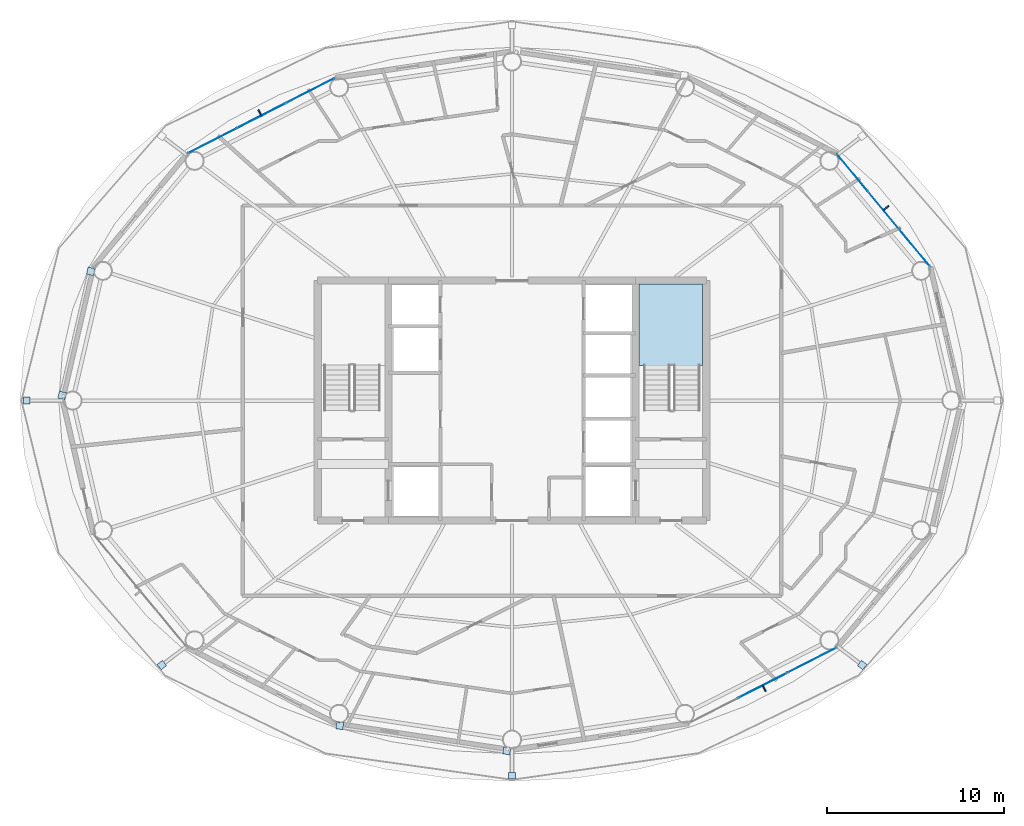
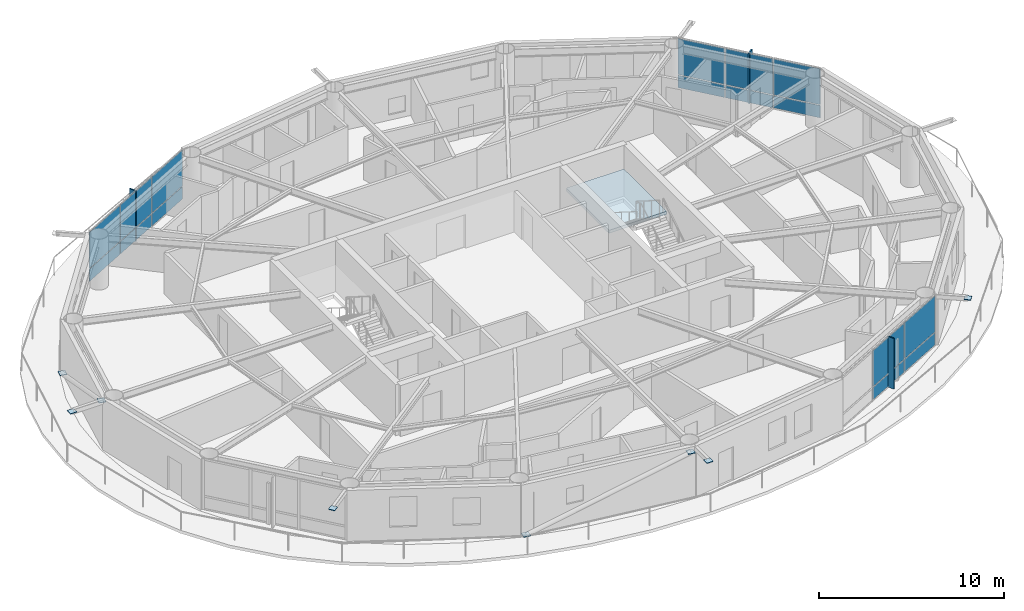
# One storey, part 14 of 23: 27 plates, 1 slab, 4 elements without a shape of their own.
"""IFC4 building model written with IfcOpenShell, lengths in metres."""

from ifc_helpers import new_model, si_unit, direction, frame, origin, origin_2d, place, context, subcontext, project, spatial, polyline, rectangle, outline, extrude, material, layer, layer_set, type_object, element, aggregate, save


model = new_model("IFC4")

# Units and contexts
model_context = context("Model", 3, precision=1e-05, world=origin(), true_north=direction((0.0, 1.0)))
body_context = subcontext(model_context, "Body", "Model", "MODEL_VIEW")
ifc_project = project(units=[si_unit("LENGTHUNIT", "METRE"), si_unit("AREAUNIT", "SQUARE_METRE"), si_unit("VOLUMEUNIT", "CUBIC_METRE"), si_unit("PLANEANGLEUNIT", "RADIAN"), si_unit("MASSUNIT", "GRAM", prefix="KILO")], contexts=[model_context])

# Site, building, storey
site_placement = place(None, origin())
site = spatial("IfcSite", under=ifc_project, at=site_placement, CompositionType="ELEMENT")
building_placement = place(site_placement, origin())
building = spatial("IfcBuilding", under=site, at=building_placement, Name="Sarneth Arch Tower", CompositionType="ELEMENT")
storey_placement = place(building_placement, frame((0.0, 0.0, 249.60009765625)))
storey = spatial("IfcBuildingStorey", under=building, at=storey_placement, Name="L64", CompositionType="ELEMENT", Elevation=249.60009765625)

# Curtain wall, plates
ifc_material_1 = material(Name="Anodised aluminium Type AA25 and solar-control low-e laminated IGU", Category="aluminium")
ifc_layer_1 = layer(ifc_material_1, 0.179931640625)
ifc_layer_set_1 = layer_set([ifc_layer_1], Name="Anodised aluminium Type AA25 and solar-control low-e laminated IGU")
curtain_wall_type = type_object("IfcCurtainWallType", Name="CW-RES-HIGH", PredefinedType="NOTDEFINED", material=ifc_layer_set_1)
curtain_wall_1_placement = place(storey_placement, origin())
curtain_wall_1 = element("IfcCurtainWall", 1, at=curtain_wall_1_placement, inside=storey, type_object=curtain_wall_type, Name="L64 Unitised curtain wall facet 02", PredefinedType="NOTDEFINED")
ifc_material_2 = material(Name="Solar-control low-e laminated IGU", Category="glass")
ifc_layer_2 = layer(ifc_material_2, 0.028076171875)
ifc_layer_set_2 = layer_set([ifc_layer_2], Name="Solar-control low-e laminated IGU")
plate_type_1 = type_object("IfcPlateType", Name="CW-PANEL", PredefinedType="CURTAIN_PANEL", material=ifc_layer_set_2)
plate_1_placement = place(storey_placement, frame((70.799072265625, 50.650634765625, 0.059814453125), z_axis=(0.0, 0.0, 1.0), x_axis=(-0.637610094184, 0.770359245933, 0.0)))
plate_1 = element("IfcPlate", 2, at=plate_1_placement, type_object=plate_type_1, Name="Curtain wall glazed vision pane CW-L64-F02/P00-00", PredefinedType="CURTAIN_PANEL", context=body_context, shape_type="SweptSolid", body=[
    extrude(rectangle(XDim=2.686767578125, YDim=0.028076171875, at=origin_2d()), origin(), (0.0, 0.0, 1.0), 0.81005859375),
])
plate_2_placement = place(storey_placement, frame((70.799072265625, 50.650634765625, 0.929931640625), z_axis=(0.0, 0.0, 1.0), x_axis=(-0.637610094184, 0.770359245933, 0.0)))
plate_2 = element("IfcPlate", 3, at=plate_2_placement, type_object=plate_type_1, Name="Curtain wall glazed vision pane CW-L64-F02/P00-01", PredefinedType="CURTAIN_PANEL", context=body_context, shape_type="SweptSolid", body=[
    extrude(rectangle(XDim=2.686767578125, YDim=0.028076171875, at=origin_2d()), origin(), (0.0, 0.0, 1.0), 2.3701171875),
])
plate_3_placement = place(storey_placement, frame((69.0380859375, 52.778076171875, 0.059814453125), z_axis=(0.0, 0.0, 1.0), x_axis=(-0.637610094184, 0.770359245933, 0.0)))
plate_3 = element("IfcPlate", 4, at=plate_3_placement, type_object=plate_type_1, Name="Curtain wall glazed vision pane CW-L64-F02/P01-00", PredefinedType="CURTAIN_PANEL", context=body_context, shape_type="SweptSolid", body=[
    extrude(rectangle(XDim=2.716552734375, YDim=0.028076171875, at=origin_2d()), origin(), (0.0, 0.0, 1.0), 0.81005859375),
])
plate_4_placement = place(storey_placement, frame((69.0380859375, 52.778076171875, 0.929931640625), z_axis=(0.0, 0.0, 1.0), x_axis=(-0.637610094184, 0.770359245933, 0.0)))
plate_4 = element("IfcPlate", 5, at=plate_4_placement, type_object=plate_type_1, Name="Curtain wall glazed vision pane CW-L64-F02/P01-01", PredefinedType="CURTAIN_PANEL", context=body_context, shape_type="SweptSolid", body=[
    extrude(rectangle(XDim=2.716552734375, YDim=0.028076171875, at=origin_2d()), origin(), (0.0, 0.0, 1.0), 2.3701171875),
])
plate_5_placement = place(storey_placement, frame((67.27734375, 54.905517578125, 0.059814453125), z_axis=(0.0, 0.0, 1.0), x_axis=(-0.637610094184, 0.770359245933, 0.0)))
plate_5 = element("IfcPlate", 6, at=plate_5_placement, type_object=plate_type_1, Name="Curtain wall glazed vision pane CW-L64-F02/P02-00", PredefinedType="CURTAIN_PANEL", context=body_context, shape_type="SweptSolid", body=[
    extrude(rectangle(XDim=2.686767578125, YDim=0.028076171875, at=origin_2d()), origin(), (0.0, 0.0, 1.0), 0.81005859375),
])
plate_6_placement = place(storey_placement, frame((67.27734375, 54.905517578125, 0.929931640625), z_axis=(0.0, 0.0, 1.0), x_axis=(-0.637610094184, 0.770359245933, 0.0)))
plate_6 = element("IfcPlate", 7, at=plate_6_placement, type_object=plate_type_1, Name="Curtain wall glazed vision pane CW-L64-F02/P02-01", PredefinedType="CURTAIN_PANEL", context=body_context, shape_type="SweptSolid", body=[
    extrude(rectangle(XDim=2.686767578125, YDim=0.028076171875, at=origin_2d()), origin(), (0.0, 0.0, 1.0), 2.3701171875),
])
aggregate(curtain_wall_1, [plate_1, plate_2, plate_3, plate_4, plate_5, plate_6])

curtain_wall_2_placement = place(storey_placement, origin())
curtain_wall_2 = element("IfcCurtainWall", 8, at=curtain_wall_2_placement, inside=storey, type_object=curtain_wall_type, Name="L64 Unitised curtain wall facet 06", PredefinedType="NOTDEFINED")
plate_7_placement = place(storey_placement, frame((36.5791015625, 59.552978515625, 0.059814453125), z_axis=(0.0, 0.0, 1.0), x_axis=(-0.890009540525, -0.455941901753, 0.0)))
plate_7 = element("IfcPlate", 9, at=plate_7_placement, type_object=plate_type_1, Name="Curtain wall glazed vision pane CW-L64-F06/P00-00", PredefinedType="CURTAIN_PANEL", context=body_context, shape_type="SweptSolid", body=[
    extrude(rectangle(XDim=3.044677734375, YDim=0.028076171875, at=origin_2d()), origin(), (0.0, 0.0, 1.0), 0.81005859375),
])
plate_8_placement = place(storey_placement, frame((36.5791015625, 59.552978515625, 0.929931640625), z_axis=(0.0, 0.0, 1.0), x_axis=(-0.890009540525, -0.455941901753, 0.0)))
plate_8 = element("IfcPlate", 10, at=plate_8_placement, type_object=plate_type_1, Name="Curtain wall glazed vision pane CW-L64-F06/P00-01", PredefinedType="CURTAIN_PANEL", context=body_context, shape_type="SweptSolid", body=[
    extrude(rectangle(XDim=3.044677734375, YDim=0.028076171875, at=origin_2d()), origin(), (0.0, 0.0, 1.0), 2.3701171875),
])
plate_9_placement = place(storey_placement, frame((33.802490234375, 58.13037109375, 0.059814453125), z_axis=(0.0, 0.0, 1.0), x_axis=(-0.890009540525, -0.455941901753, 0.0)))
plate_9 = element("IfcPlate", 11, at=plate_9_placement, type_object=plate_type_1, Name="Curtain wall glazed vision pane CW-L64-F06/P01-00", PredefinedType="CURTAIN_PANEL", context=body_context, shape_type="SweptSolid", body=[
    extrude(rectangle(XDim=3.07470703125, YDim=0.028076171875, at=origin_2d()), origin(), (0.0, 0.0, 1.0), 0.81005859375),
])
plate_10_placement = place(storey_placement, frame((33.802490234375, 58.13037109375, 0.929931640625), z_axis=(0.0, 0.0, 1.0), x_axis=(-0.890009540525, -0.455941901753, 0.0)))
plate_10 = element("IfcPlate", 12, at=plate_10_placement, type_object=plate_type_1, Name="Curtain wall glazed vision pane CW-L64-F06/P01-01", PredefinedType="CURTAIN_PANEL", context=body_context, shape_type="SweptSolid", body=[
    extrude(rectangle(XDim=3.07470703125, YDim=0.028076171875, at=origin_2d()), origin(), (0.0, 0.0, 1.0), 2.3701171875),
])
plate_11_placement = place(storey_placement, frame((31.02587890625, 56.7080078125, 0.059814453125), z_axis=(0.0, 0.0, 1.0), x_axis=(-0.890009540525, -0.455941901753, 0.0)))
plate_11 = element("IfcPlate", 13, at=plate_11_placement, type_object=plate_type_1, Name="Curtain wall glazed vision pane CW-L64-F06/P02-00", PredefinedType="CURTAIN_PANEL", context=body_context, shape_type="SweptSolid", body=[
    extrude(rectangle(XDim=3.044677734375, YDim=0.028076171875, at=origin_2d()), origin(), (0.0, 0.0, 1.0), 0.81005859375),
])
plate_12_placement = place(storey_placement, frame((31.02587890625, 56.7080078125, 0.929931640625), z_axis=(0.0, 0.0, 1.0), x_axis=(-0.890009540525, -0.455941901753, 0.0)))
plate_12 = element("IfcPlate", 14, at=plate_12_placement, type_object=plate_type_1, Name="Curtain wall glazed vision pane CW-L64-F06/P02-01", PredefinedType="CURTAIN_PANEL", context=body_context, shape_type="SweptSolid", body=[
    extrude(rectangle(XDim=3.044677734375, YDim=0.028076171875, at=origin_2d()), origin(), (0.0, 0.0, 1.0), 2.3701171875),
])
aggregate(curtain_wall_2, [plate_7, plate_8, plate_9, plate_10, plate_11, plate_12])

curtain_wall_3_placement = place(storey_placement, origin())
curtain_wall_3 = element("IfcCurtainWall", 15, at=curtain_wall_3_placement, inside=storey, type_object=curtain_wall_type, Name="L64 Unitised curtain wall facet 14", PredefinedType="NOTDEFINED")
plate_13_placement = place(storey_placement, frame((62.197509765625, 25.86962890625, 0.059814453125), z_axis=(0.0, 0.0, 1.0), x_axis=(0.890009540525, 0.455941901753, 0.0)))
plate_13 = element("IfcPlate", 16, at=plate_13_placement, type_object=plate_type_1, Name="Curtain wall glazed vision pane CW-L64-F14/P01-00", PredefinedType="CURTAIN_PANEL", context=body_context, shape_type="SweptSolid", body=[
    extrude(rectangle(XDim=3.07470703125, YDim=0.028076171875, at=origin_2d()), origin(), (0.0, 0.0, 1.0), 0.81005859375),
])
plate_14_placement = place(storey_placement, frame((62.197509765625, 25.86962890625, 0.929931640625), z_axis=(0.0, 0.0, 1.0), x_axis=(0.890009540525, 0.455941901753, 0.0)))
plate_14 = element("IfcPlate", 17, at=plate_14_placement, type_object=plate_type_1, Name="Curtain wall glazed vision pane CW-L64-F14/P01-01", PredefinedType="CURTAIN_PANEL", context=body_context, shape_type="SweptSolid", body=[
    extrude(rectangle(XDim=3.07470703125, YDim=0.028076171875, at=origin_2d()), origin(), (0.0, 0.0, 1.0), 2.3701171875),
])
plate_15_placement = place(storey_placement, frame((64.97412109375, 27.2919921875, 0.059814453125), z_axis=(0.0, 0.0, 1.0), x_axis=(0.890009540525, 0.455941901753, 0.0)))
plate_15 = element("IfcPlate", 18, at=plate_15_placement, type_object=plate_type_1, Name="Curtain wall glazed vision pane CW-L64-F14/P02-00", PredefinedType="CURTAIN_PANEL", context=body_context, shape_type="SweptSolid", body=[
    extrude(rectangle(XDim=3.044677734375, YDim=0.028076171875, at=origin_2d()), origin(), (0.0, 0.0, 1.0), 0.81005859375),
])
plate_16_placement = place(storey_placement, frame((64.97412109375, 27.2919921875, 0.929931640625), z_axis=(0.0, 0.0, 1.0), x_axis=(0.890009540525, 0.455941901753, 0.0)))
plate_16 = element("IfcPlate", 19, at=plate_16_placement, type_object=plate_type_1, Name="Curtain wall glazed vision pane CW-L64-F14/P02-01", PredefinedType="CURTAIN_PANEL", context=body_context, shape_type="SweptSolid", body=[
    extrude(rectangle(XDim=3.044677734375, YDim=0.028076171875, at=origin_2d()), origin(), (0.0, 0.0, 1.0), 2.3701171875),
])
aggregate(curtain_wall_3, [plate_13, plate_14, plate_15, plate_16])

# Plates
ifc_material_3 = material(Name="Steel S355", Category="steel")
ifc_layer_3 = layer(ifc_material_3, 0.035888671875)
ifc_layer_set_3 = layer_set([ifc_layer_3], Name="Steel S355")
plate_type_2 = type_object("IfcPlateType", Name="PLT-GUSSET-30", PredefinedType="SHEET", material=ifc_layer_set_3)
for number, where, z_axis, x_axis, name in (
    (20, (24.148193359375, 49.3154296875, 0.001953125), (0.0, 0.0, 1.0), (-0.225461202458, -0.974252147129, 0.0), "Steel end cap plate GP-1"),
    (21, (22.5234375, 42.292236328125, 3.0185546875), (0.0, 0.0, 1.0), (-0.225461202458, -0.974252147129, 0.0), "Steel end cap plate GP-1"),
):
    element("IfcPlate", number, at=place(storey_placement, frame(where, z_axis=z_axis, x_axis=x_axis)), inside=storey, type_object=plate_type_2, Name=name, PredefinedType="SHEET", context=body_context, shape_type="SweptSolid", body=[
        extrude(rectangle(XDim=0.404052734375, YDim=0.404052734375, at=origin_2d()), origin(), (0.0, 0.0, 1.0), 0.035888671875),
    ])
for number, where, z_axis, x_axis, name in (
    (22, (20.516845703125, 42.0, 3.18212890625), (0.0, 0.0, 1.0), (-1.0, 0.0, 0.0), "Steel end cap plate GP-1"),
    (23, (28.16943359375, 27.022216796875, 3.18212890625), (0.0, 0.0, 1.0), (-0.798004853043, -0.602651022168, 0.0), "Steel end cap plate GP-1"),
):
    element("IfcPlate", number, at=place(storey_placement, frame(where, z_axis=z_axis, x_axis=x_axis)), inside=storey, type_object=plate_type_2, Name=name, PredefinedType="SHEET", context=body_context, shape_type="SweptSolid", body=[
        extrude(rectangle(XDim=0.3798828125, YDim=0.3798828125, at=origin_2d()), origin(), (0.0, 0.0, 1.0), 0.035888671875),
    ])
for number, where, z_axis, x_axis, name in (
    (24, (38.245849609375, 23.588623046875, 0.001953125), (0.0, 0.0, 1.0), (0.988860535448, -0.148845024885, 0.0), "Steel end cap plate GP-1"),
    (25, (47.703369140625, 22.16455078125, 3.0185546875), (0.0, 0.0, 1.0), (0.988860535448, -0.148845024885, 0.0), "Steel end cap plate GP-1"),
):
    element("IfcPlate", number, at=place(storey_placement, frame(where, z_axis=z_axis, x_axis=x_axis)), inside=storey, type_object=plate_type_2, Name=name, PredefinedType="SHEET", context=body_context, shape_type="SweptSolid", body=[
        extrude(rectangle(XDim=0.404052734375, YDim=0.404052734375, at=origin_2d()), origin(), (0.0, 0.0, 1.0), 0.035888671875),
    ])
for number, where, z_axis, x_axis, name in (
    (26, (48.0, 20.75, 3.18212890625), (0.0, 0.0, 1.0), (0.0, -1.0, 0.0), "Steel end cap plate GP-1"),
    (27, (67.83056640625, 27.022216796875, 3.18212890625), (0.0, 0.0, 1.0), (0.798004853043, -0.602651022168, 0.0), "Steel end cap plate GP-1"),
):
    element("IfcPlate", number, at=place(storey_placement, frame(where, z_axis=z_axis, x_axis=x_axis)), inside=storey, type_object=plate_type_2, Name=name, PredefinedType="SHEET", context=body_context, shape_type="SweptSolid", body=[
        extrude(rectangle(XDim=0.3798828125, YDim=0.3798828125, at=origin_2d()), origin(), (0.0, 0.0, 1.0), 0.035888671875),
    ])
ifc_material_4 = material(Name="Extruded glazed terracotta baguette fin on Aluminium 6063-T6 carrier", Category="masonry")
ifc_layer_4 = layer(ifc_material_4, 0.080078125)
ifc_layer_set_4 = layer_set([ifc_layer_4], Name="Extruded glazed terracotta baguette fin on Aluminium 6063-T6 carrier")
plate_type_3 = type_object("IfcPlateType", Name="SHADE-TERRA-FIN", PredefinedType="SHEET", material=ifc_layer_set_4)
for number, where, z_axis, x_axis, name in (
    (28, (69.169189453125, 52.886474609375, 0.009765625), (0.0, 0.0, 1.0), (0.770401979567, 0.63755845997, 0.0), "L64 Terracotta vertical shading fin 02"),
    (29, (33.724853515625, 58.28173828125, 0.009765625), (0.0, 0.0, 1.0), (-0.456010959102, 0.889974159838, 0.0), "L64 Terracotta vertical shading fin 06"),
    (30, (62.275146484375, 25.71826171875, 0.009765625), (0.0, 0.0, 1.0), (0.456010959102, -0.889974159838, 0.0), "L64 Terracotta vertical shading fin 14"),
):
    element("IfcPlate", number, at=place(storey_placement, frame(where, z_axis=z_axis, x_axis=x_axis)), inside=storey, type_object=plate_type_3, Name=name, PredefinedType="SHEET", context=body_context, shape_type="SweptSolid", body=[
        extrude(rectangle(XDim=0.419921875, YDim=0.080078125, at=origin_2d()), origin(), (0.0, 0.0, 1.0), 3.340087890625),
    ])

# Stair, slab
ifc_material_5 = material(Name="Concrete C50/60", Category="concrete")
stair_type = type_object("IfcStairType", Name="STAIR-CORE-RC", PredefinedType="HALF_TURN_STAIR", material=ifc_material_5)
stair_placement = place(storey_placement, origin())
stair = element("IfcStair", 31, at=stair_placement, inside=storey, type_object=stair_type, Name="L64 Core Exit Stair 2", PredefinedType="HALF_TURN_STAIR")
ifc_material_6 = material(Name="Concrete C50/60", Category="concrete")
ifc_layer_5 = layer(ifc_material_6, 0.199951171875)
ifc_layer_set_5 = layer_set([ifc_layer_5], Name="Concrete C50/60")
slab_type = type_object("IfcSlabType", Name="SLAB-LANDING-200", PredefinedType="LANDING", material=ifc_layer_set_5)
slab_placement = place(storey_placement, frame((0.0, 0.0, 1.599853515625)))
slab = element("IfcSlab", 32, at=slab_placement, type_object=slab_type, Name="ST-2 landing 1", PredefinedType="LANDING", context=body_context, shape_type="SweptSolid", body=[
    extrude(outline(polyline([(55.199951171875, 43.985107421875), (58.800048828125, 43.985107421875), (58.800048828125, 48.60009765625), (55.199951171875, 48.60009765625), (55.199951171875, 43.985107421875)])), origin(), (0.0, 0.0, 1.0), 0.199951171875),
])
aggregate(stair, [slab])

save(model, "model.ifc")
